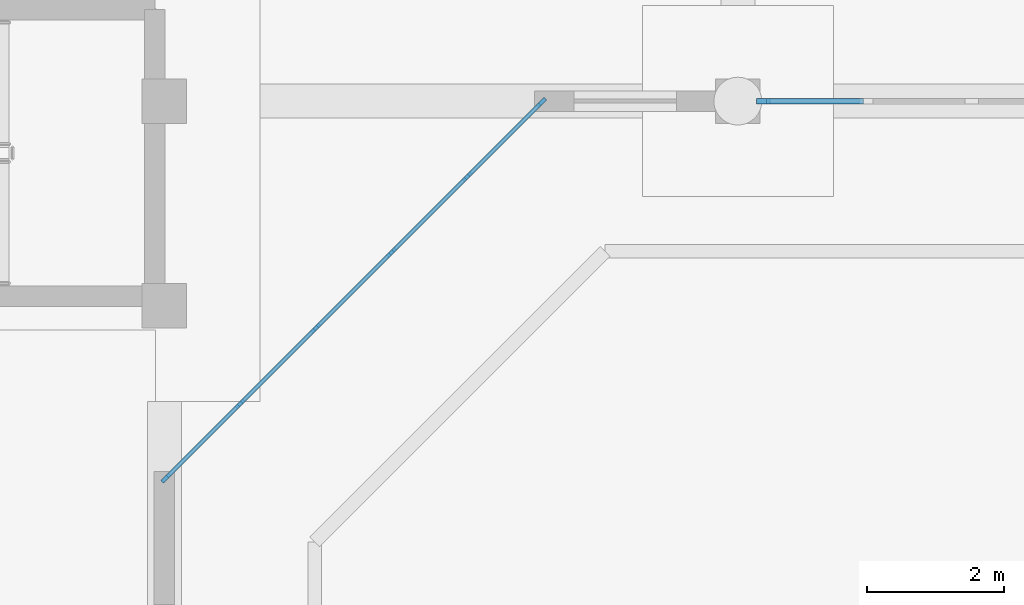
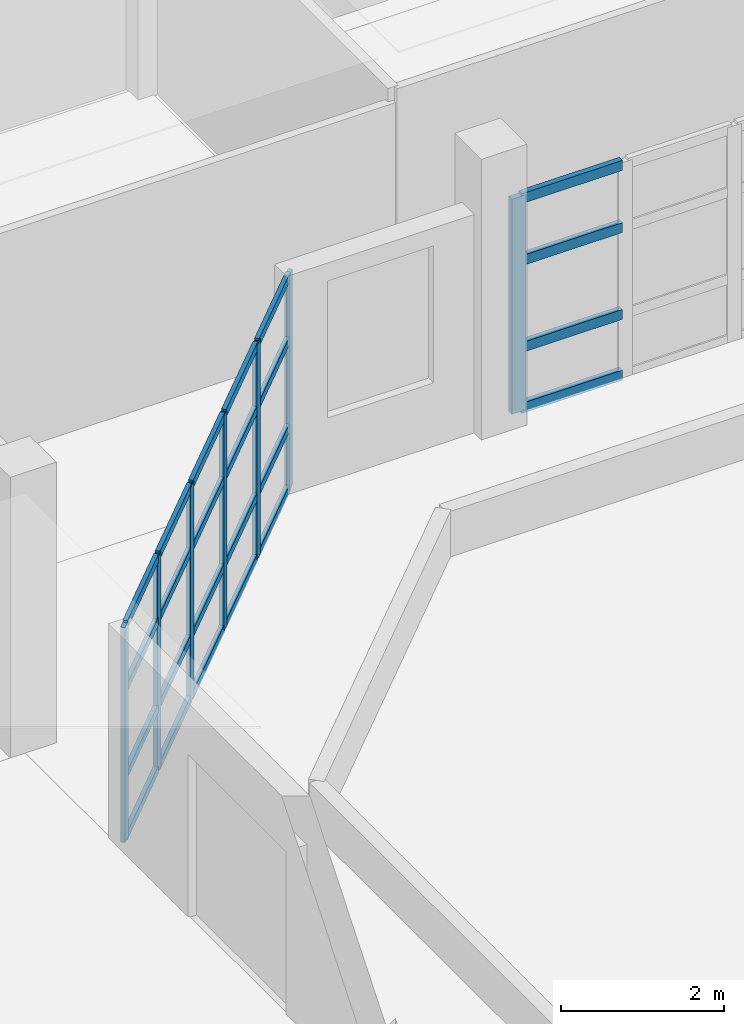
# One storey, part 31 of 88: 31 members, 2 elements without a shape of their own.
"""IFC4 building model written with IfcOpenShell, lengths in metres."""

from ifc_helpers import new_model, si_unit, direction, frame, origin, origin_2d, place, context, subcontext, project, spatial, rectangle, extrude, material, material_profile, profile_set, type_object, element, aggregate, save


model = new_model("IFC4")

# Units and contexts
model_context = context("Model", 3, precision=1e-05, world=origin(), true_north=direction((0.0, 1.0)))
body_context = subcontext(model_context, "Body", "Model", "MODEL_VIEW")
ifc_project = project(units=[si_unit("LENGTHUNIT", "METRE"), si_unit("AREAUNIT", "SQUARE_METRE"), si_unit("VOLUMEUNIT", "CUBIC_METRE"), si_unit("PLANEANGLEUNIT", "RADIAN"), si_unit("MASSUNIT", "GRAM", prefix="KILO")], contexts=[model_context])

# Site, building, storey
site_placement = place(None, origin())
site = spatial("IfcSite", under=ifc_project, at=site_placement, CompositionType="ELEMENT")
building_placement = place(site_placement, origin())
building = spatial("IfcBuilding", under=site, at=building_placement, Name="Vanh Quang Courtyard School", CompositionType="ELEMENT")
storey_placement = place(building_placement, origin())
storey = spatial("IfcBuildingStorey", under=building, at=storey_placement, Name="L00", CompositionType="ELEMENT", Elevation=0.0)

# Curtain wall, members
ifc_material_1 = material(Name="Thermally broken aluminium unitised curtain wall", Category="aluminium")
curtain_wall_type_1 = type_object("IfcCurtainWallType", Name="CW-SYS-01", PredefinedType="NOTDEFINED", material=ifc_material_1)
curtain_wall_1_placement = place(storey_placement, origin())
curtain_wall_1 = element("IfcCurtainWall", 1, at=curtain_wall_1_placement, inside=storey, type_object=curtain_wall_type_1, Name="Curtain Wall CW-01 (L00)", PredefinedType="NOTDEFINED")
ifc_material_2 = material(Name="Anodised aluminium 6063-T6", Category="aluminium")
ifc_material_profile_1 = material_profile(ifc_material_2, rectangle(XDim=0.06005859375, YDim=0.159912109375, at=origin_2d()), Name="ALU-MUL 60x160")
ifc_profile_set_1 = profile_set([ifc_material_profile_1], Name="Anodised aluminium 6063-T6")
member_type_1 = type_object("IfcMemberType", Name="CW-MUL-60x160", PredefinedType="MULLION", material=ifc_profile_set_1)
member_1_placement = place(storey_placement, frame((91.32275390625, 71.37890625, 0.0), z_axis=(0.0, 0.0, 1.0), x_axis=(0.707106781187, -0.707106781187, 0.0)))
member_1 = element("IfcMember", 2, at=member_1_placement, type_object=member_type_1, Name="CW-01 mullion 1", PredefinedType="MULLION", context=body_context, shape_type="SweptSolid", body=[
    extrude(rectangle(XDim=0.06005859375, YDim=0.159912109375, at=origin_2d()), origin(), (0.0, 0.0, 1.0), 3.219970703125),
])
member_2_placement = place(storey_placement, frame((90.235107421875, 70.291259765625, 0.0), z_axis=(0.0, 0.0, 1.0), x_axis=(0.707106781187, -0.707106781187, 0.0)))
member_2 = element("IfcMember", 3, at=member_2_placement, type_object=member_type_1, Name="CW-01 mullion 2", PredefinedType="MULLION", context=body_context, shape_type="SweptSolid", body=[
    extrude(rectangle(XDim=0.06005859375, YDim=0.159912109375, at=origin_2d()), origin(), (0.0, 0.0, 1.0), 3.219970703125),
])
member_3_placement = place(storey_placement, frame((89.12646484375, 69.182373046875, 0.0), z_axis=(0.0, 0.0, 1.0), x_axis=(0.707106781187, -0.707106781187, 0.0)))
member_3 = element("IfcMember", 4, at=member_3_placement, type_object=member_type_1, Name="CW-01 mullion 3", PredefinedType="MULLION", context=body_context, shape_type="SweptSolid", body=[
    extrude(rectangle(XDim=0.06005859375, YDim=0.159912109375, at=origin_2d()), origin(), (0.0, 0.0, 1.0), 3.219970703125),
])
member_4_placement = place(storey_placement, frame((88.017578125, 68.073486328125, 0.0), z_axis=(0.0, 0.0, 1.0), x_axis=(0.707106781187, -0.707106781187, 0.0)))
member_4 = element("IfcMember", 5, at=member_4_placement, type_object=member_type_1, Name="CW-01 mullion 4", PredefinedType="MULLION", context=body_context, shape_type="SweptSolid", body=[
    extrude(rectangle(XDim=0.06005859375, YDim=0.159912109375, at=origin_2d()), origin(), (0.0, 0.0, 1.0), 3.219970703125),
])
member_5_placement = place(storey_placement, frame((86.90869140625, 66.96484375, 0.0), z_axis=(0.0, 0.0, 1.0), x_axis=(0.707106781187, -0.707106781187, 0.0)))
member_5 = element("IfcMember", 6, at=member_5_placement, type_object=member_type_1, Name="CW-01 mullion 5", PredefinedType="MULLION", context=body_context, shape_type="SweptSolid", body=[
    extrude(rectangle(XDim=0.06005859375, YDim=0.159912109375, at=origin_2d()), origin(), (0.0, 0.0, 1.0), 3.219970703125),
])
member_6_placement = place(storey_placement, frame((85.8212890625, 65.877197265625, 0.0), z_axis=(0.0, 0.0, 1.0), x_axis=(0.707106781187, -0.707106781187, 0.0)))
member_6 = element("IfcMember", 7, at=member_6_placement, type_object=member_type_1, Name="CW-01 mullion 6", PredefinedType="MULLION", context=body_context, shape_type="SweptSolid", body=[
    extrude(rectangle(XDim=0.06005859375, YDim=0.159912109375, at=origin_2d()), origin(), (0.0, 0.0, 1.0), 3.219970703125),
])

# Curtain wall, member
curtain_wall_type_2 = type_object("IfcCurtainWallType", Name="CW-SYS-02", PredefinedType="NOTDEFINED", material=ifc_material_1)
curtain_wall_2_placement = place(storey_placement, origin())
curtain_wall_2 = element("IfcCurtainWall", 8, at=curtain_wall_2_placement, inside=storey, type_object=curtain_wall_type_2, Name="Curtain Wall CW-02 (L00)", PredefinedType="NOTDEFINED")
ifc_material_profile_2 = material_profile(ifc_material_2, rectangle(XDim=0.080078125, YDim=0.199951171875, at=origin_2d()), Name="ALU-MUL 80x200")
ifc_profile_set_2 = profile_set([ifc_material_profile_2], Name="Anodised aluminium 6063-T6")
member_type_2 = type_object("IfcMemberType", Name="CW-MUL-80x200", PredefinedType="MULLION", material=ifc_profile_set_2)
member_7_placement = place(storey_placement, frame((94.572998046875, 71.39990234375, 0.0), z_axis=(0.0, 0.0, 1.0), x_axis=(0.0, -1.0, 0.0)))
member_7 = element("IfcMember", 9, at=member_7_placement, type_object=member_type_2, Name="CW-02 mullion 6", PredefinedType="MULLION", context=body_context, shape_type="SweptSolid", body=[
    extrude(rectangle(XDim=0.080078125, YDim=0.199951171875, at=origin_2d()), origin(), (0.0, 0.0, 1.0), 3.219970703125),
])

# Member
ifc_material_profile_3 = material_profile(ifc_material_2, rectangle(XDim=0.06005859375, YDim=0.1201171875, at=origin_2d()), Name="ALU-TRN 60x120")
ifc_profile_set_3 = profile_set([ifc_material_profile_3], Name="Anodised aluminium 6063-T6")
member_type_3 = type_object("IfcMemberType", Name="CW-TRN-60x120", PredefinedType="USERDEFINED", material=ifc_profile_set_3)
member_8_placement = place(storey_placement, frame((91.301513671875, 71.357666015625, 0.030029296875), z_axis=(-0.707106781187, -0.707106781187, 0.0), x_axis=(0.707106781187, -0.707106781187, 0.0)))
member_8 = element("IfcMember", 10, at=member_8_placement, type_object=member_type_3, Name="CW-01 transom 1.1", ObjectType="TRANSOM", PredefinedType="USERDEFINED", context=body_context, shape_type="SweptSolid", body=[
    extrude(rectangle(XDim=0.06005859375, YDim=0.1201171875, at=origin_2d()), origin(), (0.0, 0.0, 1.0), 1.47802734375),
])

member_9_placement = place(storey_placement, frame((91.301513671875, 71.357666015625, 0.949951171875), z_axis=(-0.707106781187, -0.707106781187, 0.0), x_axis=(0.707106781187, -0.707106781187, 0.0)))
member_9 = element("IfcMember", 11, at=member_9_placement, type_object=member_type_3, Name="CW-01 transom 1.2", ObjectType="TRANSOM", PredefinedType="USERDEFINED", context=body_context, shape_type="SweptSolid", body=[
    extrude(rectangle(XDim=0.06005859375, YDim=0.1201171875, at=origin_2d()), origin(), (0.0, 0.0, 1.0), 1.47802734375),
])

member_10_placement = place(storey_placement, frame((91.301513671875, 71.357666015625, 2.25), z_axis=(-0.707106781187, -0.707106781187, 0.0), x_axis=(0.707106781187, -0.707106781187, 0.0)))
member_10 = element("IfcMember", 12, at=member_10_placement, type_object=member_type_3, Name="CW-01 transom 1.3", ObjectType="TRANSOM", PredefinedType="USERDEFINED", context=body_context, shape_type="SweptSolid", body=[
    extrude(rectangle(XDim=0.06005859375, YDim=0.1201171875, at=origin_2d()), origin(), (0.0, 0.0, 1.0), 1.47802734375),
])

member_11_placement = place(storey_placement, frame((91.301513671875, 71.357666015625, 3.18994140625), z_axis=(-0.707106781187, -0.707106781187, 0.0), x_axis=(0.707106781187, -0.707106781187, 0.0)))
member_11 = element("IfcMember", 13, at=member_11_placement, type_object=member_type_3, Name="CW-01 transom 1.4", ObjectType="TRANSOM", PredefinedType="USERDEFINED", context=body_context, shape_type="SweptSolid", body=[
    extrude(rectangle(XDim=0.06005859375, YDim=0.1201171875, at=origin_2d()), origin(), (0.0, 0.0, 1.0), 1.47802734375),
])

member_12_placement = place(storey_placement, frame((90.2138671875, 70.27001953125, 0.030029296875), z_axis=(-0.707025825577, -0.707187727529, 0.0), x_axis=(0.707187727529, -0.707025825577, 0.0)))
member_12 = element("IfcMember", 14, at=member_12_placement, type_object=member_type_3, Name="CW-01 transom 2.1", ObjectType="TRANSOM", PredefinedType="USERDEFINED", context=body_context, shape_type="SweptSolid", body=[
    extrude(rectangle(XDim=0.06005859375, YDim=0.1201171875, at=origin_2d()), origin(), (0.0, 0.0, 1.0), 1.508056640625),
])

member_13_placement = place(storey_placement, frame((90.2138671875, 70.27001953125, 0.949951171875), z_axis=(-0.707025825577, -0.707187727529, 0.0), x_axis=(0.707187727529, -0.707025825577, 0.0)))
member_13 = element("IfcMember", 15, at=member_13_placement, type_object=member_type_3, Name="CW-01 transom 2.2", ObjectType="TRANSOM", PredefinedType="USERDEFINED", context=body_context, shape_type="SweptSolid", body=[
    extrude(rectangle(XDim=0.06005859375, YDim=0.1201171875, at=origin_2d()), origin(), (0.0, 0.0, 1.0), 1.508056640625),
])

member_14_placement = place(storey_placement, frame((90.2138671875, 70.27001953125, 2.25), z_axis=(-0.707025825577, -0.707187727529, 0.0), x_axis=(0.707187727529, -0.707025825577, 0.0)))
member_14 = element("IfcMember", 16, at=member_14_placement, type_object=member_type_3, Name="CW-01 transom 2.3", ObjectType="TRANSOM", PredefinedType="USERDEFINED", context=body_context, shape_type="SweptSolid", body=[
    extrude(rectangle(XDim=0.06005859375, YDim=0.1201171875, at=origin_2d()), origin(), (0.0, 0.0, 1.0), 1.508056640625),
])

member_15_placement = place(storey_placement, frame((90.2138671875, 70.27001953125, 3.18994140625), z_axis=(-0.707025825577, -0.707187727529, 0.0), x_axis=(0.707187727529, -0.707025825577, 0.0)))
member_15 = element("IfcMember", 17, at=member_15_placement, type_object=member_type_3, Name="CW-01 transom 2.4", ObjectType="TRANSOM", PredefinedType="USERDEFINED", context=body_context, shape_type="SweptSolid", body=[
    extrude(rectangle(XDim=0.06005859375, YDim=0.1201171875, at=origin_2d()), origin(), (0.0, 0.0, 1.0), 1.508056640625),
])

member_16_placement = place(storey_placement, frame((89.105224609375, 69.1611328125, 0.030029296875), z_axis=(-0.707106781187, -0.707106781187, 0.0), x_axis=(0.707106781187, -0.707106781187, 0.0)))
member_16 = element("IfcMember", 18, at=member_16_placement, type_object=member_type_3, Name="CW-01 transom 3.1", ObjectType="TRANSOM", PredefinedType="USERDEFINED", context=body_context, shape_type="SweptSolid", body=[
    extrude(rectangle(XDim=0.06005859375, YDim=0.1201171875, at=origin_2d()), origin(), (0.0, 0.0, 1.0), 1.508056640625),
])

member_17_placement = place(storey_placement, frame((89.105224609375, 69.1611328125, 0.949951171875), z_axis=(-0.707106781187, -0.707106781187, 0.0), x_axis=(0.707106781187, -0.707106781187, 0.0)))
member_17 = element("IfcMember", 19, at=member_17_placement, type_object=member_type_3, Name="CW-01 transom 3.2", ObjectType="TRANSOM", PredefinedType="USERDEFINED", context=body_context, shape_type="SweptSolid", body=[
    extrude(rectangle(XDim=0.06005859375, YDim=0.1201171875, at=origin_2d()), origin(), (0.0, 0.0, 1.0), 1.508056640625),
])

member_18_placement = place(storey_placement, frame((89.105224609375, 69.1611328125, 2.25), z_axis=(-0.707106781187, -0.707106781187, 0.0), x_axis=(0.707106781187, -0.707106781187, 0.0)))
member_18 = element("IfcMember", 20, at=member_18_placement, type_object=member_type_3, Name="CW-01 transom 3.3", ObjectType="TRANSOM", PredefinedType="USERDEFINED", context=body_context, shape_type="SweptSolid", body=[
    extrude(rectangle(XDim=0.06005859375, YDim=0.1201171875, at=origin_2d()), origin(), (0.0, 0.0, 1.0), 1.508056640625),
])

member_19_placement = place(storey_placement, frame((89.105224609375, 69.1611328125, 3.18994140625), z_axis=(-0.707106781187, -0.707106781187, 0.0), x_axis=(0.707106781187, -0.707106781187, 0.0)))
member_19 = element("IfcMember", 21, at=member_19_placement, type_object=member_type_3, Name="CW-01 transom 3.4", ObjectType="TRANSOM", PredefinedType="USERDEFINED", context=body_context, shape_type="SweptSolid", body=[
    extrude(rectangle(XDim=0.06005859375, YDim=0.1201171875, at=origin_2d()), origin(), (0.0, 0.0, 1.0), 1.508056640625),
])

member_20_placement = place(storey_placement, frame((87.996337890625, 68.052490234375, 0.030029296875), z_axis=(-0.707106781187, -0.707106781187, 0.0), x_axis=(0.707106781187, -0.707106781187, 0.0)))
member_20 = element("IfcMember", 22, at=member_20_placement, type_object=member_type_3, Name="CW-01 transom 4.1", ObjectType="TRANSOM", PredefinedType="USERDEFINED", context=body_context, shape_type="SweptSolid", body=[
    extrude(rectangle(XDim=0.06005859375, YDim=0.1201171875, at=origin_2d()), origin(), (0.0, 0.0, 1.0), 1.508056640625),
])

member_21_placement = place(storey_placement, frame((87.996337890625, 68.052490234375, 0.949951171875), z_axis=(-0.707106781187, -0.707106781187, 0.0), x_axis=(0.707106781187, -0.707106781187, 0.0)))
member_21 = element("IfcMember", 23, at=member_21_placement, type_object=member_type_3, Name="CW-01 transom 4.2", ObjectType="TRANSOM", PredefinedType="USERDEFINED", context=body_context, shape_type="SweptSolid", body=[
    extrude(rectangle(XDim=0.06005859375, YDim=0.1201171875, at=origin_2d()), origin(), (0.0, 0.0, 1.0), 1.508056640625),
])

member_22_placement = place(storey_placement, frame((87.996337890625, 68.052490234375, 2.25), z_axis=(-0.707106781187, -0.707106781187, 0.0), x_axis=(0.707106781187, -0.707106781187, 0.0)))
member_22 = element("IfcMember", 24, at=member_22_placement, type_object=member_type_3, Name="CW-01 transom 4.3", ObjectType="TRANSOM", PredefinedType="USERDEFINED", context=body_context, shape_type="SweptSolid", body=[
    extrude(rectangle(XDim=0.06005859375, YDim=0.1201171875, at=origin_2d()), origin(), (0.0, 0.0, 1.0), 1.508056640625),
])

member_23_placement = place(storey_placement, frame((87.996337890625, 68.052490234375, 3.18994140625), z_axis=(-0.707106781187, -0.707106781187, 0.0), x_axis=(0.707106781187, -0.707106781187, 0.0)))
member_23 = element("IfcMember", 25, at=member_23_placement, type_object=member_type_3, Name="CW-01 transom 4.4", ObjectType="TRANSOM", PredefinedType="USERDEFINED", context=body_context, shape_type="SweptSolid", body=[
    extrude(rectangle(XDim=0.06005859375, YDim=0.1201171875, at=origin_2d()), origin(), (0.0, 0.0, 1.0), 1.508056640625),
])

member_24_placement = place(storey_placement, frame((86.8876953125, 66.943603515625, 0.030029296875), z_axis=(-0.707106781187, -0.707106781187, 0.0), x_axis=(0.707106781187, -0.707106781187, 0.0)))
member_24 = element("IfcMember", 26, at=member_24_placement, type_object=member_type_3, Name="CW-01 transom 5.1", ObjectType="TRANSOM", PredefinedType="USERDEFINED", context=body_context, shape_type="SweptSolid", body=[
    extrude(rectangle(XDim=0.06005859375, YDim=0.1201171875, at=origin_2d()), origin(), (0.0, 0.0, 1.0), 1.47802734375),
])

member_25_placement = place(storey_placement, frame((86.8876953125, 66.943603515625, 0.949951171875), z_axis=(-0.707106781187, -0.707106781187, 0.0), x_axis=(0.707106781187, -0.707106781187, 0.0)))
member_25 = element("IfcMember", 27, at=member_25_placement, type_object=member_type_3, Name="CW-01 transom 5.2", ObjectType="TRANSOM", PredefinedType="USERDEFINED", context=body_context, shape_type="SweptSolid", body=[
    extrude(rectangle(XDim=0.06005859375, YDim=0.1201171875, at=origin_2d()), origin(), (0.0, 0.0, 1.0), 1.47802734375),
])

member_26_placement = place(storey_placement, frame((86.8876953125, 66.943603515625, 2.25), z_axis=(-0.707106781187, -0.707106781187, 0.0), x_axis=(0.707106781187, -0.707106781187, 0.0)))
member_26 = element("IfcMember", 28, at=member_26_placement, type_object=member_type_3, Name="CW-01 transom 5.3", ObjectType="TRANSOM", PredefinedType="USERDEFINED", context=body_context, shape_type="SweptSolid", body=[
    extrude(rectangle(XDim=0.06005859375, YDim=0.1201171875, at=origin_2d()), origin(), (0.0, 0.0, 1.0), 1.47802734375),
])

member_27_placement = place(storey_placement, frame((86.8876953125, 66.943603515625, 3.18994140625), z_axis=(-0.707106781187, -0.707106781187, 0.0), x_axis=(0.707106781187, -0.707106781187, 0.0)))
member_27 = element("IfcMember", 29, at=member_27_placement, type_object=member_type_3, Name="CW-01 transom 5.4", ObjectType="TRANSOM", PredefinedType="USERDEFINED", context=body_context, shape_type="SweptSolid", body=[
    extrude(rectangle(XDim=0.06005859375, YDim=0.1201171875, at=origin_2d()), origin(), (0.0, 0.0, 1.0), 1.47802734375),
])

aggregate(curtain_wall_1, [member_1, member_2, member_3, member_4, member_5, member_6, member_8, member_9, member_10, member_11, member_12, member_13, member_14, member_15, member_16, member_17, member_18, member_19, member_20, member_21, member_22, member_23, member_24, member_25, member_26, member_27])

ifc_material_profile_4 = material_profile(ifc_material_2, rectangle(XDim=0.080078125, YDim=0.14990234375, at=origin_2d()), Name="ALU-TRN 80x150")
ifc_profile_set_4 = profile_set([ifc_material_profile_4], Name="Anodised aluminium 6063-T6")
member_type_4 = type_object("IfcMemberType", Name="CW-TRN-80x150", PredefinedType="USERDEFINED", material=ifc_profile_set_4)
member_28_placement = place(storey_placement, frame((96.039794921875, 71.39990234375, 0.0400390625), z_axis=(-1.0, 0.0, 0.0), x_axis=(0.0, -1.0, 0.0)))
member_28 = element("IfcMember", 30, at=member_28_placement, type_object=member_type_4, Name="CW-02 transom 5.1", ObjectType="TRANSOM", PredefinedType="USERDEFINED", context=body_context, shape_type="SweptSolid", body=[
    extrude(rectangle(XDim=0.080078125, YDim=0.14990234375, at=origin_2d()), origin(), (0.0, 0.0, 1.0), 1.4267578125),
])

member_29_placement = place(storey_placement, frame((96.039794921875, 71.39990234375, 0.949951171875), z_axis=(-1.0, 0.0, 0.0), x_axis=(0.0, -1.0, 0.0)))
member_29 = element("IfcMember", 31, at=member_29_placement, type_object=member_type_4, Name="CW-02 transom 5.2", ObjectType="TRANSOM", PredefinedType="USERDEFINED", context=body_context, shape_type="SweptSolid", body=[
    extrude(rectangle(XDim=0.080078125, YDim=0.14990234375, at=origin_2d()), origin(), (0.0, 0.0, 1.0), 1.4267578125),
])

member_30_placement = place(storey_placement, frame((96.039794921875, 71.39990234375, 2.25), z_axis=(-1.0, 0.0, 0.0), x_axis=(0.0, -1.0, 0.0)))
member_30 = element("IfcMember", 32, at=member_30_placement, type_object=member_type_4, Name="CW-02 transom 5.3", ObjectType="TRANSOM", PredefinedType="USERDEFINED", context=body_context, shape_type="SweptSolid", body=[
    extrude(rectangle(XDim=0.080078125, YDim=0.14990234375, at=origin_2d()), origin(), (0.0, 0.0, 1.0), 1.4267578125),
])

member_31_placement = place(storey_placement, frame((96.039794921875, 71.39990234375, 3.179931640625), z_axis=(-1.0, 0.0, 0.0), x_axis=(0.0, -1.0, 0.0)))
member_31 = element("IfcMember", 33, at=member_31_placement, type_object=member_type_4, Name="CW-02 transom 5.4", ObjectType="TRANSOM", PredefinedType="USERDEFINED", context=body_context, shape_type="SweptSolid", body=[
    extrude(rectangle(XDim=0.080078125, YDim=0.14990234375, at=origin_2d()), origin(), (0.0, 0.0, 1.0), 1.4267578125),
])

aggregate(curtain_wall_2, [member_7, member_28, member_29, member_30, member_31])

save(model, "model.ifc")
